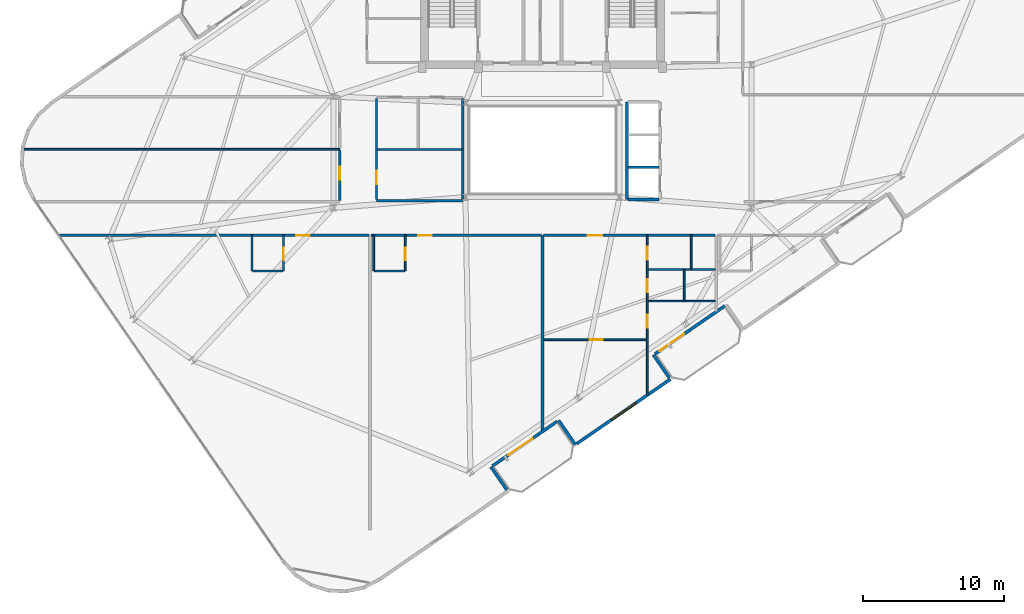
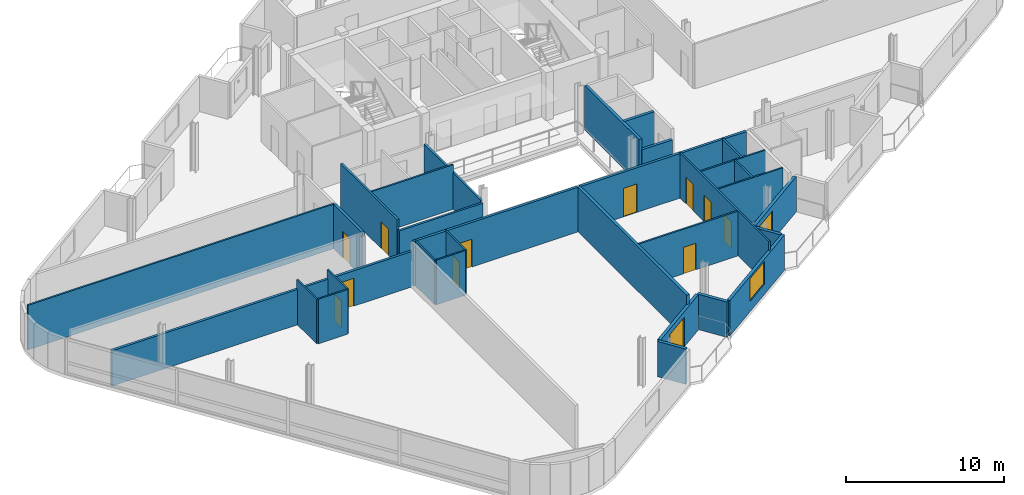
# One storey, part 16 of 23: 31 walls, 13 doors, 1 window, 14 openings.
"""IFC4 building model written with IfcOpenShell, lengths in metres."""

from ifc_helpers import new_model, si_unit, direction, frame, frame_2d, origin, place, context, subcontext, project, spatial, rectangle, extrude, material, layer, layer_set, type_object, element, fill, save


model = new_model("IFC4")

# Units and contexts
model_context = context("Model", 3, precision=1e-05, world=origin(), true_north=direction((0.0, 1.0)))
body_context = subcontext(model_context, "Body", "Model", "MODEL_VIEW")
ifc_project = project(units=[si_unit("LENGTHUNIT", "METRE"), si_unit("AREAUNIT", "SQUARE_METRE"), si_unit("VOLUMEUNIT", "CUBIC_METRE"), si_unit("PLANEANGLEUNIT", "RADIAN"), si_unit("MASSUNIT", "GRAM", prefix="KILO")], contexts=[model_context])

# Site, building, storey
site_placement = place(None, origin())
site = spatial("IfcSite", under=ifc_project, at=site_placement, CompositionType="ELEMENT")
building_placement = place(site_placement, origin())
building = spatial("IfcBuilding", under=site, at=building_placement, Name="Varnelok Gate Tower", CompositionType="ELEMENT")
storey_placement = place(building_placement, frame((0.0, 0.0, 273.0)))
storey = spatial("IfcBuildingStorey", under=building, at=storey_placement, Name="L70", CompositionType="ELEMENT", Elevation=273.0)

# Wall, opening, door
ifc_material_1 = material(Name="Concrete C45/55", Category="concrete")
ifc_layer_1 = layer(ifc_material_1, 0.219970703125)
ifc_layer_set_1 = layer_set([ifc_layer_1], Name="Concrete C45/55")
wall_type_1 = type_object("IfcWallType", Name="EW-BALC-220", PredefinedType="SOLIDWALL", material=ifc_layer_set_1)
wall_1_placement = place(storey_placement, frame((40.243896484375, 3.6884765625, 0.0), z_axis=(0.0, 0.0, 1.0), x_axis=(-0.823541290762, -0.567256328665, 0.0)))
wall_1 = element("IfcWall", 1, at=wall_1_placement, inside=storey, type_object=wall_type_1, Name="L70 South Terrace Envelope Wall 1", PredefinedType="SOLIDWALL", context=body_context, shape_type="SweptSolid", body=[
    extrude(rectangle(XDim=5.567138671875, YDim=0.219970703125, at=frame_2d((2.78369140625, 0.0))), origin(), (0.0, 0.0, 1.0), 2.72998046875),
])
opening_1_placement = place(wall_1_placement, frame((2.10693359375, 0.0, 0.0)))
opening_1 = element("IfcOpeningElement", 2, at=opening_1_placement, cuts=wall_1, Name="Opening BD-2", PredefinedType="OPENING", context=body_context, shape_type="SweptSolid", body=[
    extrude(rectangle(XDim=2.10009765625, YDim=2.300048828125, at=frame_2d((1.050048828125, 1.14990234375))), frame((0.0, 0.119873046875, 0.0), z_axis=(0.0, -1.0, 0.0), x_axis=(1.0, 0.0, 0.0)), (0.0, 0.0, 1.0), 0.239990234375),
])
ifc_material_2 = material(Name="Anodized Aluminum Alloy 6063-T6", Category="aluminium")
door_type_1 = type_object("IfcDoorType", Name="DR-EXT-SLID2100", OperationType="SLIDING_TO_LEFT", PredefinedType="DOOR", material=ifc_material_2)
door_1_placement = place(opening_1_placement, origin())
door_1 = element("IfcDoor", 3, at=door_1_placement, inside=storey, type_object=door_type_1, Name="L70 South Balcony Glazed Door 1", OperationType="SLIDING_TO_LEFT", OverallHeight=2.300048828125, OverallWidth=2.10009765625, PredefinedType="DOOR", context=body_context, shape_type="SweptSolid", body=[
    extrude(rectangle(XDim=2.10009765625, YDim=2.300048828125, at=frame_2d((1.050048828125, 1.14990234375))), frame((0.0, 0.02490234375, 0.0), z_axis=(0.0, -1.0, 0.0), x_axis=(1.0, 0.0, 0.0)), (0.0, 0.0, 1.0), 0.050048828125),
])
fill(opening_1, door_1)

wall_2_placement = place(storey_placement, frame((52.102783203125, 11.85693359375, 0.0), z_axis=(0.0, 0.0, 1.0), x_axis=(-0.823534636215, -0.567265989598, 0.0)))
wall_2 = element("IfcWall", 4, at=wall_2_placement, inside=storey, type_object=wall_type_1, Name="L70 South Terrace Envelope Wall 2", PredefinedType="SOLIDWALL", context=body_context, shape_type="SweptSolid", body=[
    extrude(rectangle(XDim=6.0, YDim=0.219970703125, at=frame_2d((3.0, 0.0))), origin(), (0.0, 0.0, 1.0), 2.72998046875),
])
opening_2_placement = place(wall_2_placement, frame((3.5, 0.0, 0.0)))
opening_2 = element("IfcOpeningElement", 5, at=opening_2_placement, cuts=wall_2, Name="Opening BD-2", PredefinedType="OPENING", context=body_context, shape_type="SweptSolid", body=[
    extrude(rectangle(XDim=2.10009765625, YDim=2.300048828125, at=frame_2d((1.050048828125, 1.14990234375))), frame((0.0, 0.119873046875, 0.0), z_axis=(0.0, -1.0, 0.0), x_axis=(1.0, 0.0, 0.0)), (0.0, 0.0, 1.0), 0.239990234375),
])
door_2_placement = place(opening_2_placement, origin())
door_2 = element("IfcDoor", 6, at=door_2_placement, inside=storey, type_object=door_type_1, Name="L70 South Balcony Glazed Door 2", OperationType="SLIDING_TO_LEFT", OverallHeight=2.300048828125, OverallWidth=2.10009765625, PredefinedType="DOOR", context=body_context, shape_type="SweptSolid", body=[
    extrude(rectangle(XDim=2.10009765625, YDim=2.300048828125, at=frame_2d((1.050048828125, 1.14990234375))), frame((0.0, 0.02490234375, 0.0), z_axis=(0.0, -1.0, 0.0), x_axis=(1.0, 0.0, 0.0)), (0.0, 0.0, 1.0), 0.050048828125),
])
fill(opening_2, door_2)

# Walls
wall_3_placement = place(storey_placement, frame((36.675048828125, -1.156005859375, 0.0), z_axis=(0.0, 0.0, 1.0), x_axis=(-0.567215821234, 0.823569190865, 0.0)))
element("IfcWall", 7, at=wall_3_placement, inside=storey, type_object=wall_type_1, Name="L70 Perimeter Facade Closure Wall 8", PredefinedType="SOLIDWALL", context=body_context, shape_type="SweptSolid", body=[
    extrude(rectangle(XDim=1.97509765625, YDim=0.219970703125, at=frame_2d((0.987548828125, 0.0))), origin(), (0.0, 0.0, 1.0), 2.72998046875),
])
wall_4_placement = place(storey_placement, frame((40.3369140625, 3.7646484375, 0.0), z_axis=(0.0, 0.0, 1.0), x_axis=(0.567352541689, -0.823475010816, 0.0)))
element("IfcWall", 8, at=wall_4_placement, inside=storey, type_object=wall_type_1, Name="L70 Perimeter Facade Closure Wall 9", PredefinedType="SOLIDWALL", context=body_context, shape_type="SweptSolid", body=[
    extrude(rectangle(XDim=2.099853515625, YDim=0.219970703125, at=frame_2d((1.0498046875, 0.0))), origin(), (0.0, 0.0, 1.0), 2.72998046875),
])

# Wall, opening, window
wall_5_placement = place(storey_placement, frame((41.631103515625, 2.106201171875, 0.0), z_axis=(0.0, 0.0, 1.0), x_axis=(0.823530942962, 0.56727135128, 0.0)))
wall_5 = element("IfcWall", 9, at=wall_5_placement, inside=storey, type_object=wall_type_1, Name="L70 Perimeter Facade Closure Wall 10", PredefinedType="SOLIDWALL", context=body_context, shape_type="SweptSolid", body=[
    extrude(rectangle(XDim=8.03515625, YDim=0.219970703125, at=frame_2d((4.017578125, 0.0))), origin(), (0.0, 0.0, 1.0), 2.72998046875),
])
opening_3_placement = place(wall_5_placement, frame((2.967529296875, 0.0, 0.800048828125)))
opening_3 = element("IfcOpeningElement", 10, at=opening_3_placement, cuts=wall_5, Name="Opening WN4", PredefinedType="OPENING", context=body_context, shape_type="SweptSolid", body=[
    extrude(rectangle(XDim=2.10009765625, YDim=1.75, at=frame_2d((1.050048828125, 0.875))), frame((0.0, 0.119873046875, 0.0), z_axis=(0.0, -1.0, 0.0), x_axis=(1.0, 0.0, 0.0)), (0.0, 0.0, 1.0), 0.239990234375),
])
ifc_material_3 = material(Name="Low-E Laminated Double Glazing IGU", Category="glass")
window_type = type_object("IfcWindowType", Name="WN-SUI-2100", PartitioningType="SINGLE_PANEL", PredefinedType="WINDOW", material=ifc_material_3)
window_placement = place(opening_3_placement, origin())
window = element("IfcWindow", 11, at=window_placement, inside=storey, type_object=window_type, Name="L70 Perimeter Vision Window 10", OverallHeight=1.75, OverallWidth=2.10009765625, PartitioningType="SINGLE_PANEL", PredefinedType="WINDOW", context=body_context, shape_type="SweptSolid", body=[
    extrude(rectangle(XDim=2.10009765625, YDim=1.75, at=frame_2d((1.050048828125, 0.875))), frame((0.0, 0.030029296875, 0.0), z_axis=(0.0, -1.0, 0.0), x_axis=(1.0, 0.0, 0.0)), (0.0, 0.0, 1.0), 0.06005859375),
])
fill(opening_3, window)

# Wall
wall_6_placement = place(storey_placement, frame((48.17724609375, 6.76708984375, 0.0), z_axis=(0.0, 0.0, 1.0), x_axis=(-0.567273565974, 0.823529417415, 0.0)))
element("IfcWall", 12, at=wall_6_placement, inside=storey, type_object=wall_type_1, Name="L70 Perimeter Facade Closure Wall 11", PredefinedType="SOLIDWALL", context=body_context, shape_type="SweptSolid", body=[
    extrude(rectangle(XDim=1.97509765625, YDim=0.219970703125, at=frame_2d((0.987548828125, 0.0))), origin(), (0.0, 0.0, 1.0), 2.72998046875),
])

# Wall, opening, door
ifc_material_4 = material(Name="Gypsum Plasterboard Acoustic Partition", Category="gypsum")
ifc_layer_2 = layer(ifc_material_4, 0.179931640625)
ifc_layer_set_2 = layer_set([ifc_layer_2], Name="Gypsum Plasterboard Acoustic Partition")
wall_type_2 = type_object("IfcWallType", Name="PW-CORR-180", PredefinedType="PARTITIONING", material=ifc_layer_set_2)
wall_7_placement = place(storey_placement, frame((5.037841796875, 16.85009765625, 0.0), z_axis=(0.0, 0.0, 1.0), x_axis=(1.0, 0.0, 0.0)))
wall_7 = element("IfcWall", 13, at=wall_7_placement, inside=storey, type_object=wall_type_2, Name="Interior Partition", PredefinedType="PARTITIONING", context=body_context, shape_type="SweptSolid", body=[
    extrude(rectangle(XDim=21.882080078125, YDim=0.179931640625, at=frame_2d((10.94091796875, 0.0))), origin(), (0.0, 0.0, 1.0), 2.739013671875),
])
opening_4_placement = place(wall_7_placement, frame((16.725341796875, 0.0, 0.0)))
opening_4 = element("IfcOpeningElement", 14, at=opening_4_placement, cuts=wall_7, Name="Opening D-HT", PredefinedType="OPENING", context=body_context, shape_type="SweptSolid", body=[
    extrude(rectangle(XDim=0.949951171875, YDim=2.14990234375, at=frame_2d((0.47509765625, 1.074951171875))), frame((0.0, 0.099853515625, 0.0), z_axis=(0.0, -1.0, 0.0), x_axis=(1.0, 0.0, 0.0)), (0.0, 0.0, 1.0), 0.199951171875),
])
ifc_material_5 = material(Name="Engineered Hardwood Timber", Category="wood")
door_type_2 = type_object("IfcDoorType", Name="DR-HTL-950", OperationType="NOTDEFINED", PredefinedType="DOOR", material=ifc_material_5)
door_3_placement = place(opening_4_placement, origin())
door_3 = element("IfcDoor", 15, at=door_3_placement, inside=storey, type_object=door_type_2, Name="L70 Guest Room 01 Entrance Door", OperationType="SINGLE_SWING_RIGHT", OverallHeight=2.14990234375, OverallWidth=0.949951171875, PredefinedType="DOOR", context=body_context, shape_type="SweptSolid", body=[
    extrude(rectangle(XDim=0.949951171875, YDim=2.14990234375, at=frame_2d((0.47509765625, 1.074951171875))), frame((0.0, 0.02490234375, 0.0), z_axis=(0.0, -1.0, 0.0), x_axis=(1.0, 0.0, 0.0)), (0.0, 0.0, 1.0), 0.050048828125),
])
fill(opening_4, door_3)

wall_8_placement = place(storey_placement, frame((27.080078125, 16.85009765625, 0.0), z_axis=(0.0, 0.0, 1.0), x_axis=(1.0, 0.0, 0.0)))
wall_8 = element("IfcWall", 16, at=wall_8_placement, inside=storey, type_object=wall_type_2, Name="Interior Partition", PredefinedType="PARTITIONING", context=body_context, shape_type="SweptSolid", body=[
    extrude(rectangle(XDim=12.0400390625, YDim=0.179931640625, at=frame_2d((6.02001953125, 0.0))), origin(), (0.0, 0.0, 1.0), 3.449951171875),
])
opening_5_placement = place(wall_8_placement, frame((3.328369140625, 0.0, 0.0)))
opening_5 = element("IfcOpeningElement", 17, at=opening_5_placement, cuts=wall_8, Name="Opening D-HT", PredefinedType="OPENING", context=body_context, shape_type="SweptSolid", body=[
    extrude(rectangle(XDim=0.949951171875, YDim=2.14990234375, at=frame_2d((0.47509765625, 1.074951171875))), frame((0.0, 0.099853515625, 0.0), z_axis=(0.0, -1.0, 0.0), x_axis=(1.0, 0.0, 0.0)), (0.0, 0.0, 1.0), 0.199951171875),
])
door_4_placement = place(opening_5_placement, origin())
door_4 = element("IfcDoor", 18, at=door_4_placement, inside=storey, type_object=door_type_2, Name="L70 Guest Room 02 Entrance Door", OperationType="SINGLE_SWING_LEFT", OverallHeight=2.14990234375, OverallWidth=0.949951171875, PredefinedType="DOOR", context=body_context, shape_type="SweptSolid", body=[
    extrude(rectangle(XDim=0.949951171875, YDim=2.14990234375, at=frame_2d((0.47509765625, 1.074951171875))), frame((0.0, 0.02490234375, 0.0), z_axis=(0.0, -1.0, 0.0), x_axis=(1.0, 0.0, 0.0)), (0.0, 0.0, 1.0), 0.050048828125),
])
fill(opening_5, door_4)

wall_9_placement = place(storey_placement, frame((39.280029296875, 16.85009765625, 0.0), z_axis=(0.0, 0.0, 1.0), x_axis=(1.0, 0.0, 0.0)))
wall_9 = element("IfcWall", 19, at=wall_9_placement, inside=storey, type_object=wall_type_2, Name="Interior Partition", PredefinedType="PARTITIONING", context=body_context, shape_type="SweptSolid", body=[
    extrude(rectangle(XDim=12.139892578125, YDim=0.179931640625, at=frame_2d((6.06982421875, 0.0))), origin(), (0.0, 0.0, 1.0), 3.449951171875),
])
opening_6_placement = place(wall_9_placement, frame((3.135009765625, 0.0, 0.0)))
opening_6 = element("IfcOpeningElement", 20, at=opening_6_placement, cuts=wall_9, Name="Opening D-AP", PredefinedType="OPENING", context=body_context, shape_type="SweptSolid", body=[
    extrude(rectangle(XDim=1.0, YDim=2.199951171875, at=frame_2d((0.5, 1.10009765625))), frame((0.0, 0.099853515625, 0.0), z_axis=(0.0, -1.0, 0.0), x_axis=(1.0, 0.0, 0.0)), (0.0, 0.0, 1.0), 0.199951171875),
])
door_type_3 = type_object("IfcDoorType", Name="DR-APT-1000", OperationType="NOTDEFINED", PredefinedType="DOOR", material=ifc_material_5)
door_5_placement = place(opening_6_placement, origin())
door_5 = element("IfcDoor", 21, at=door_5_placement, inside=storey, type_object=door_type_3, Name="L70 Apartment 3 Entrance Door", OperationType="SINGLE_SWING_RIGHT", OverallHeight=2.199951171875, OverallWidth=1.0, PredefinedType="DOOR", context=body_context, shape_type="SweptSolid", body=[
    extrude(rectangle(XDim=1.0, YDim=2.199951171875, at=frame_2d((0.5, 1.10009765625))), frame((0.0, 0.02490234375, 0.0), z_axis=(0.0, -1.0, 0.0), x_axis=(1.0, 0.0, 0.0)), (0.0, 0.0, 1.0), 0.050048828125),
])
fill(opening_6, door_5)

wall_10_placement = place(storey_placement, frame((24.85009765625, 19.300048828125, 0.0), z_axis=(0.0, 0.0, 1.0), x_axis=(0.0, 1.0, 0.0)))
wall_10 = element("IfcWall", 22, at=wall_10_placement, inside=storey, type_object=wall_type_2, Name="Interior Partition", PredefinedType="PARTITIONING", context=body_context, shape_type="SweptSolid", body=[
    extrude(rectangle(XDim=3.570068359375, YDim=0.179931640625, at=frame_2d((1.78515625, 0.0))), origin(), (0.0, 0.0, 1.0), 3.449951171875),
])
opening_7_placement = place(wall_10_placement, frame((1.49951171875, 0.0, 0.0)))
opening_7 = element("IfcOpeningElement", 23, at=opening_7_placement, cuts=wall_10, Name="Opening D-I3", PredefinedType="OPENING", context=body_context, shape_type="SweptSolid", body=[
    extrude(rectangle(XDim=0.919921875, YDim=2.050048828125, at=frame_2d((0.4599609375, 1.02490234375))), frame((0.0, 0.099853515625, 0.0), z_axis=(0.0, -1.0, 0.0), x_axis=(1.0, 0.0, 0.0)), (0.0, 0.0, 1.0), 0.199951171875),
])
door_type_4 = type_object("IfcDoorType", Name="DR-INT-920", OperationType="NOTDEFINED", PredefinedType="DOOR", material=ifc_material_5)
door_6_placement = place(opening_7_placement, origin())
door_6 = element("IfcDoor", 24, at=door_6_placement, inside=storey, type_object=door_type_4, Name="L70 West Wing Room 1 Door", OperationType="SINGLE_SWING_LEFT", OverallHeight=2.050048828125, OverallWidth=0.919921875, PredefinedType="DOOR", context=body_context, shape_type="SweptSolid", body=[
    extrude(rectangle(XDim=0.919921875, YDim=2.050048828125, at=frame_2d((0.4599609375, 1.02490234375))), frame((0.0, 0.02490234375, 0.0), z_axis=(0.0, -1.0, 0.0), x_axis=(1.0, 0.0, 0.0)), (0.0, 0.0, 1.0), 0.050048828125),
])
fill(opening_7, door_6)

# Wall
ifc_layer_3 = layer(ifc_material_4, 0.114990234375)
ifc_layer_set_3 = layer_set([ifc_layer_3], Name="Gypsum Plasterboard Acoustic Partition")
wall_type_3 = type_object("IfcWallType", Name="PW-ENS-125", PredefinedType="PARTITIONING", material=ifc_layer_set_3)
wall_11_placement = place(storey_placement, frame((18.679931640625, 14.330078125, 0.0), z_axis=(0.0, 0.0, 1.0), x_axis=(1.0, 0.0, 0.0)))
element("IfcWall", 25, at=wall_11_placement, inside=storey, type_object=wall_type_3, Name="Interior Partition", PredefinedType="PARTITIONING", context=body_context, shape_type="SweptSolid", body=[
    extrude(rectangle(XDim=2.150146484375, YDim=0.114990234375, at=frame_2d((1.0751953125, 0.0))), origin(), (0.0, 0.0, 1.0), 3.449951171875),
])

# Wall, opening, door
wall_12_placement = place(storey_placement, frame((20.8701171875, 14.330078125, 0.0), z_axis=(0.0, 0.0, 1.0), x_axis=(0.0, 1.0, 0.0)))
wall_12 = element("IfcWall", 26, at=wall_12_placement, inside=storey, type_object=wall_type_3, Name="Interior Partition", PredefinedType="PARTITIONING", context=body_context, shape_type="SweptSolid", body=[
    extrude(rectangle(XDim=2.52001953125, YDim=0.114990234375, at=frame_2d((1.260009765625, 0.0))), origin(), (0.0, 0.0, 1.0), 3.449951171875),
])
opening_8_placement = place(wall_12_placement, frame((0.760009765625, 0.0, 0.0)))
opening_8 = element("IfcOpeningElement", 27, at=opening_8_placement, cuts=wall_12, Name="Opening D-WC", PredefinedType="OPENING", context=body_context, shape_type="SweptSolid", body=[
    extrude(rectangle(XDim=0.89990234375, YDim=2.050048828125, at=frame_2d((0.449951171875, 1.02490234375))), frame((0.0, 0.0673828125, 0.0), z_axis=(0.0, -1.0, 0.0), x_axis=(1.0, 0.0, 0.0)), (0.0, 0.0, 1.0), 0.135009765625),
])
door_type_5 = type_object("IfcDoorType", Name="DR-BATH-900", OperationType="NOTDEFINED", PredefinedType="DOOR", material=ifc_material_5)
door_7_placement = place(opening_8_placement, origin())
door_7 = element("IfcDoor", 28, at=door_7_placement, inside=storey, type_object=door_type_5, Name="L70 Guest En-Suite 01 Door", OperationType="SINGLE_SWING_LEFT", OverallHeight=2.050048828125, OverallWidth=0.89990234375, PredefinedType="DOOR", context=body_context, shape_type="SweptSolid", body=[
    extrude(rectangle(XDim=0.89990234375, YDim=2.050048828125, at=frame_2d((0.449951171875, 1.02490234375))), frame((0.0, 0.02490234375, 0.0), z_axis=(0.0, -1.0, 0.0), x_axis=(1.0, 0.0, 0.0)), (0.0, 0.0, 1.0), 0.050048828125),
])
fill(opening_8, door_7)

# Walls
wall_13_placement = place(storey_placement, frame((18.639892578125, 14.330078125, 0.0), z_axis=(0.0, 0.0, 1.0), x_axis=(0.0, 1.0, 0.0)))
element("IfcWall", 29, at=wall_13_placement, inside=storey, type_object=wall_type_3, Name="Interior Partition", PredefinedType="PARTITIONING", context=body_context, shape_type="SweptSolid", body=[
    extrude(rectangle(XDim=2.52001953125, YDim=0.114990234375, at=frame_2d((1.260009765625, 0.0))), origin(), (0.0, 0.0, 1.0), 3.449951171875),
])
wall_14_placement = place(storey_placement, frame((27.300048828125, 14.330078125, 0.0), z_axis=(0.0, 0.0, 1.0), x_axis=(1.0, 0.0, 0.0)))
element("IfcWall", 30, at=wall_14_placement, inside=storey, type_object=wall_type_3, Name="Interior Partition", PredefinedType="PARTITIONING", context=body_context, shape_type="SweptSolid", body=[
    extrude(rectangle(XDim=2.14990234375, YDim=0.114990234375, at=frame_2d((1.074951171875, 0.0))), origin(), (0.0, 0.0, 1.0), 3.449951171875),
])

# Wall, opening, door
wall_15_placement = place(storey_placement, frame((29.489990234375, 14.330078125, 0.0), z_axis=(0.0, 0.0, 1.0), x_axis=(0.0, 1.0, 0.0)))
wall_15 = element("IfcWall", 31, at=wall_15_placement, inside=storey, type_object=wall_type_3, Name="Interior Partition", PredefinedType="PARTITIONING", context=body_context, shape_type="SweptSolid", body=[
    extrude(rectangle(XDim=2.52001953125, YDim=0.114990234375, at=frame_2d((1.260009765625, 0.0))), origin(), (0.0, 0.0, 1.0), 3.449951171875),
])
opening_9_placement = place(wall_15_placement, frame((0.760009765625, 0.0, 0.0)))
opening_9 = element("IfcOpeningElement", 32, at=opening_9_placement, cuts=wall_15, Name="Opening D-WC", PredefinedType="OPENING", context=body_context, shape_type="SweptSolid", body=[
    extrude(rectangle(XDim=0.89990234375, YDim=2.050048828125, at=frame_2d((0.449951171875, 1.02490234375))), frame((0.0, 0.0673828125, 0.0), z_axis=(0.0, -1.0, 0.0), x_axis=(1.0, 0.0, 0.0)), (0.0, 0.0, 1.0), 0.135009765625),
])
door_8_placement = place(opening_9_placement, origin())
door_8 = element("IfcDoor", 33, at=door_8_placement, inside=storey, type_object=door_type_5, Name="L70 Guest En-Suite 02 Door", OperationType="SINGLE_SWING_LEFT", OverallHeight=2.050048828125, OverallWidth=0.89990234375, PredefinedType="DOOR", context=body_context, shape_type="SweptSolid", body=[
    extrude(rectangle(XDim=0.89990234375, YDim=2.050048828125, at=frame_2d((0.449951171875, 1.02490234375))), frame((0.0, 0.02490234375, 0.0), z_axis=(0.0, -1.0, 0.0), x_axis=(1.0, 0.0, 0.0)), (0.0, 0.0, 1.0), 0.050048828125),
])
fill(opening_9, door_8)

# Walls
wall_16_placement = place(storey_placement, frame((27.260009765625, 14.330078125, 0.0), z_axis=(0.0, 0.0, 1.0), x_axis=(0.0, 1.0, 0.0)))
element("IfcWall", 34, at=wall_16_placement, inside=storey, type_object=wall_type_3, Name="Interior Partition", PredefinedType="PARTITIONING", context=body_context, shape_type="SweptSolid", body=[
    extrude(rectangle(XDim=2.52001953125, YDim=0.114990234375, at=frame_2d((1.260009765625, 0.0))), origin(), (0.0, 0.0, 1.0), 3.449951171875),
])
wall_17_placement = place(storey_placement, frame((46.68994140625, 12.199951171875, 0.0), z_axis=(0.0, 0.0, 1.0), x_axis=(1.0, 0.0, 0.0)))
element("IfcWall", 35, at=wall_17_placement, inside=storey, type_object=wall_type_3, Name="Interior Partition", PredefinedType="PARTITIONING", context=body_context, shape_type="SweptSolid", body=[
    extrude(rectangle(XDim=4.72998046875, YDim=0.114990234375, at=frame_2d((2.364990234375, 0.0))), origin(), (0.0, 0.0, 1.0), 3.449951171875),
])
wall_18_placement = place(storey_placement, frame((49.22998046875, 12.199951171875, 0.0), z_axis=(0.0, 0.0, 1.0), x_axis=(0.0, 1.0, 0.0)))
element("IfcWall", 36, at=wall_18_placement, inside=storey, type_object=wall_type_3, Name="Interior Partition", PredefinedType="PARTITIONING", context=body_context, shape_type="SweptSolid", body=[
    extrude(rectangle(XDim=2.239990234375, YDim=0.114990234375, at=frame_2d((1.1201171875, 0.0))), origin(), (0.0, 0.0, 1.0), 3.449951171875),
])

# Wall, opening, door
ifc_layer_4 = layer(ifc_material_4, 0.125)
ifc_layer_set_4 = layer_set([ifc_layer_4], Name="Gypsum Plasterboard Acoustic Partition")
wall_type_4 = type_object("IfcWallType", Name="PW-PART-125", PredefinedType="PARTITIONING", material=ifc_layer_set_4)
wall_19_placement = place(storey_placement, frame((39.280029296875, 9.470458984375, 0.0), z_axis=(0.0, 0.0, 1.0), x_axis=(1.0, 0.0, 0.0)))
wall_19 = element("IfcWall", 37, at=wall_19_placement, inside=storey, type_object=wall_type_4, Name="Interior Partition", PredefinedType="PARTITIONING", context=body_context, shape_type="SweptSolid", body=[
    extrude(rectangle(XDim=7.27001953125, YDim=0.125, at=frame_2d((3.635009765625, 0.0))), origin(), (0.0, 0.0, 1.0), 3.449951171875),
])
opening_10_placement = place(wall_19_placement, frame((3.271484375, 0.0, 0.0)))
opening_10 = element("IfcOpeningElement", 38, at=opening_10_placement, cuts=wall_19, Name="Opening D-I3", PredefinedType="OPENING", context=body_context, shape_type="SweptSolid", body=[
    extrude(rectangle(XDim=0.919921875, YDim=2.050048828125, at=frame_2d((0.4599609375, 1.02490234375))), frame((0.0, 0.072509765625, 0.0), z_axis=(0.0, -1.0, 0.0), x_axis=(1.0, 0.0, 0.0)), (0.0, 0.0, 1.0), 0.14501953125),
])
door_9_placement = place(opening_10_placement, origin())
door_9 = element("IfcDoor", 39, at=door_9_placement, inside=storey, type_object=door_type_4, Name="L70 Apartment 3 Study Door", OperationType="SINGLE_SWING_LEFT", OverallHeight=2.050048828125, OverallWidth=0.919921875, PredefinedType="DOOR", context=body_context, shape_type="SweptSolid", body=[
    extrude(rectangle(XDim=0.919921875, YDim=2.050048828125, at=frame_2d((0.4599609375, 1.02490234375))), frame((0.0, 0.02490234375, 0.0), z_axis=(0.0, -1.0, 0.0), x_axis=(1.0, 0.0, 0.0)), (0.0, 0.0, 1.0), 0.050048828125),
])
fill(opening_10, door_9)

# Wall, openings, doors
wall_20_placement = place(storey_placement, frame((46.6201171875, 5.56689453125, 0.0), z_axis=(0.0, 0.0, 1.0), x_axis=(0.0, 1.0, 0.0)))
wall_20 = element("IfcWall", 40, at=wall_20_placement, inside=storey, type_object=wall_type_4, Name="Interior Partition", PredefinedType="PARTITIONING", context=body_context, shape_type="SweptSolid", body=[
    extrude(rectangle(XDim=11.283203125, YDim=0.125, at=frame_2d((5.6416015625, 0.0))), origin(), (0.0, 0.0, 1.0), 3.449951171875),
])
opening_11_placement = place(wall_20_placement, frame((4.7568359375, 0.0, 0.0)))
opening_11 = element("IfcOpeningElement", 41, at=opening_11_placement, cuts=wall_20, Name="Opening D-I3", PredefinedType="OPENING", context=body_context, shape_type="SweptSolid", body=[
    extrude(rectangle(XDim=0.919921875, YDim=2.050048828125, at=frame_2d((0.4599609375, 1.02490234375))), frame((0.0, 0.072509765625, 0.0), z_axis=(0.0, -1.0, 0.0), x_axis=(1.0, 0.0, 0.0)), (0.0, 0.0, 1.0), 0.14501953125),
])
opening_12_placement = place(wall_20_placement, frame((7.260498046875, 0.0, 0.0)))
opening_12 = element("IfcOpeningElement", 42, at=opening_12_placement, cuts=wall_20, Name="Opening D-WC", PredefinedType="OPENING", context=body_context, shape_type="SweptSolid", body=[
    extrude(rectangle(XDim=0.89990234375, YDim=2.050048828125, at=frame_2d((0.449951171875, 1.02490234375))), frame((0.0, 0.072509765625, 0.0), z_axis=(0.0, -1.0, 0.0), x_axis=(1.0, 0.0, 0.0)), (0.0, 0.0, 1.0), 0.14501953125),
])
opening_13_placement = place(wall_20_placement, frame((9.552978515625, 0.0, 0.0)))
opening_13 = element("IfcOpeningElement", 43, at=opening_13_placement, cuts=wall_20, Name="Opening D-I3", PredefinedType="OPENING", context=body_context, shape_type="SweptSolid", body=[
    extrude(rectangle(XDim=0.919921875, YDim=2.050048828125, at=frame_2d((0.4599609375, 1.02490234375))), frame((0.0, 0.072509765625, 0.0), z_axis=(0.0, -1.0, 0.0), x_axis=(1.0, 0.0, 0.0)), (0.0, 0.0, 1.0), 0.14501953125),
])
door_10_placement = place(opening_12_placement, origin())
door_10 = element("IfcDoor", 44, at=door_10_placement, inside=storey, type_object=door_type_5, Name="L70 Apartment 3 Bathroom Door", OperationType="SINGLE_SWING_LEFT", OverallHeight=2.050048828125, OverallWidth=0.89990234375, PredefinedType="DOOR", context=body_context, shape_type="SweptSolid", body=[
    extrude(rectangle(XDim=0.89990234375, YDim=2.050048828125, at=frame_2d((0.449951171875, 1.02490234375))), frame((0.0, 0.02490234375, 0.0), z_axis=(0.0, -1.0, 0.0), x_axis=(1.0, 0.0, 0.0)), (0.0, 0.0, 1.0), 0.050048828125),
])
fill(opening_12, door_10)
door_11_placement = place(opening_11_placement, origin())
door_11 = element("IfcDoor", 45, at=door_11_placement, inside=storey, type_object=door_type_4, Name="L70 Apartment 3 Bedroom Door", OperationType="SINGLE_SWING_RIGHT", OverallHeight=2.050048828125, OverallWidth=0.919921875, PredefinedType="DOOR", context=body_context, shape_type="SweptSolid", body=[
    extrude(rectangle(XDim=0.919921875, YDim=2.050048828125, at=frame_2d((0.4599609375, 1.02490234375))), frame((0.0, 0.02490234375, 0.0), z_axis=(0.0, -1.0, 0.0), x_axis=(1.0, 0.0, 0.0)), (0.0, 0.0, 1.0), 0.050048828125),
])
fill(opening_11, door_11)
door_12_placement = place(opening_13_placement, origin())
door_12 = element("IfcDoor", 46, at=door_12_placement, inside=storey, type_object=door_type_4, Name="L70 Apartment 3 Kitchen Door", OperationType="SINGLE_SWING_RIGHT", OverallHeight=2.050048828125, OverallWidth=0.919921875, PredefinedType="DOOR", context=body_context, shape_type="SweptSolid", body=[
    extrude(rectangle(XDim=0.919921875, YDim=2.050048828125, at=frame_2d((0.4599609375, 1.02490234375))), frame((0.0, 0.02490234375, 0.0), z_axis=(0.0, -1.0, 0.0), x_axis=(1.0, 0.0, 0.0)), (0.0, 0.0, 1.0), 0.050048828125),
])
fill(opening_13, door_12)

# Walls
wall_21_placement = place(storey_placement, frame((46.68994140625, 14.43994140625, 0.0), z_axis=(0.0, 0.0, 1.0), x_axis=(1.0, 0.0, 0.0)))
element("IfcWall", 47, at=wall_21_placement, inside=storey, type_object=wall_type_4, Name="Interior Partition", PredefinedType="PARTITIONING", context=body_context, shape_type="SweptSolid", body=[
    extrude(rectangle(XDim=4.72998046875, YDim=0.125, at=frame_2d((2.364990234375, 0.0))), origin(), (0.0, 0.0, 1.0), 3.449951171875),
])
wall_22_placement = place(storey_placement, frame((49.72998046875, 14.43994140625, 0.0), z_axis=(0.0, 0.0, 1.0), x_axis=(0.0, 1.0, 0.0)))
element("IfcWall", 48, at=wall_22_placement, inside=storey, type_object=wall_type_4, Name="Interior Partition", PredefinedType="PARTITIONING", context=body_context, shape_type="SweptSolid", body=[
    extrude(rectangle(XDim=2.41015625, YDim=0.125, at=frame_2d((1.205078125, 0.0))), origin(), (0.0, 0.0, 1.0), 3.449951171875),
])
wall_23_placement = place(storey_placement, frame((2.424072265625, 22.949951171875, 0.0), z_axis=(0.0, 0.0, 1.0), x_axis=(1.0, 0.0, 0.0)))
element("IfcWall", 49, at=wall_23_placement, inside=storey, type_object=wall_type_4, Name="Interior Partition", PredefinedType="PARTITIONING", context=body_context, shape_type="SweptSolid", body=[
    extrude(rectangle(XDim=22.426025390625, YDim=0.125, at=frame_2d((11.212890625, 0.0))), origin(), (0.0, 0.0, 1.0), 3.449951171875),
])
wall_24_placement = place(storey_placement, frame((27.52001953125, 22.929931640625, 0.0), z_axis=(0.0, 0.0, 1.0), x_axis=(1.0, 0.0, 0.0)))
element("IfcWall", 50, at=wall_24_placement, inside=storey, type_object=wall_type_4, Name="Interior Partition", PredefinedType="PARTITIONING", context=body_context, shape_type="SweptSolid", body=[
    extrude(rectangle(XDim=6.0, YDim=0.125, at=frame_2d((3.0, 0.0))), origin(), (0.0, 0.0, 1.0), 3.449951171875),
])
ifc_layer_5 = layer(ifc_material_4, 0.14990234375)
ifc_layer_set_5 = layer_set([ifc_layer_5], Name="Gypsum Plasterboard Acoustic Partition")
wall_type_5 = type_object("IfcWallType", Name="PW-PART-150", PredefinedType="PARTITIONING", material=ifc_layer_set_5)
wall_25_placement = place(storey_placement, frame((27.4599609375, 19.300048828125, 0.0), z_axis=(0.0, 0.0, 1.0), x_axis=(1.0, 0.0, 0.0)))
element("IfcWall", 51, at=wall_25_placement, inside=storey, type_object=wall_type_5, Name="Interior Partition", PredefinedType="PARTITIONING", context=body_context, shape_type="SweptSolid", body=[
    extrude(rectangle(XDim=6.10009765625, YDim=0.14990234375, at=frame_2d((3.050048828125, 0.0))), origin(), (0.0, 0.0, 1.0), 2.662109375),
])

# Wall, opening, door
wall_26_placement = place(storey_placement, frame((27.4599609375, 19.3798828125, 0.0), z_axis=(0.0, 0.0, 1.0), x_axis=(0.0, 1.0, 0.0)))
wall_26 = element("IfcWall", 52, at=wall_26_placement, inside=storey, type_object=wall_type_5, Name="Interior Partition", PredefinedType="PARTITIONING", context=body_context, shape_type="SweptSolid", body=[
    extrude(rectangle(XDim=7.16015625, YDim=0.14990234375, at=frame_2d((3.580078125, 0.0))), origin(), (0.0, 0.0, 1.0), 3.449951171875),
])
opening_14_placement = place(wall_26_placement, frame((1.10009765625, 0.0, 0.0)))
opening_14 = element("IfcOpeningElement", 53, at=opening_14_placement, cuts=wall_26, Name="Opening D-I2", PredefinedType="OPENING", context=body_context, shape_type="SweptSolid", body=[
    extrude(rectangle(XDim=0.949951171875, YDim=2.050048828125, at=frame_2d((0.47509765625, 1.02490234375))), frame((0.0, 0.0849609375, 0.0), z_axis=(0.0, -1.0, 0.0), x_axis=(1.0, 0.0, 0.0)), (0.0, 0.0, 1.0), 0.169921875),
])
door_type_6 = type_object("IfcDoorType", Name="DR-INT-950", OperationType="NOTDEFINED", PredefinedType="DOOR", material=ifc_material_5)
door_13_placement = place(opening_14_placement, origin())
door_13 = element("IfcDoor", 54, at=door_13_placement, inside=storey, type_object=door_type_6, Name="L70 Constructivist Architecture Exhibition Gallery Door", OperationType="SINGLE_SWING_LEFT", OverallHeight=2.050048828125, OverallWidth=0.949951171875, PredefinedType="DOOR", context=body_context, shape_type="SweptSolid", body=[
    extrude(rectangle(XDim=0.949951171875, YDim=2.050048828125, at=frame_2d((0.47509765625, 1.02490234375))), frame((0.0, 0.02490234375, 0.0), z_axis=(0.0, -1.0, 0.0), x_axis=(1.0, 0.0, 0.0)), (0.0, 0.0, 1.0), 0.050048828125),
])
fill(opening_14, door_13)

# Walls
wall_27_placement = place(storey_placement, frame((33.56005859375, 19.3798828125, 0.0), z_axis=(0.0, 0.0, 1.0), x_axis=(0.0, 1.0, 0.0)))
element("IfcWall", 55, at=wall_27_placement, inside=storey, type_object=wall_type_5, Name="Interior Partition", PredefinedType="PARTITIONING", context=body_context, shape_type="SweptSolid", body=[
    extrude(rectangle(XDim=7.16015625, YDim=0.14990234375, at=frame_2d((3.580078125, 0.0))), origin(), (0.0, 0.0, 1.0), 2.823974609375),
])
ifc_layer_6 = layer(ifc_material_4, 0.205078125)
ifc_layer_set_6 = layer_set([ifc_layer_6], Name="Gypsum Plasterboard Acoustic Partition")
wall_type_6 = type_object("IfcWallType", Name="PW-PARTY-200", PredefinedType="PARTITIONING", material=ifc_layer_set_6)
wall_28_placement = place(storey_placement, frame((39.199951171875, 3.005859375, 0.0), z_axis=(0.0, 0.0, 1.0), x_axis=(0.0, 1.0, 0.0)))
element("IfcWall", 56, at=wall_28_placement, inside=storey, type_object=wall_type_6, Name="L70 South Party Wall 2", PredefinedType="PARTITIONING", context=body_context, shape_type="SweptSolid", body=[
    extrude(rectangle(XDim=13.84423828125, YDim=0.205078125, at=frame_2d((6.922119140625, 0.0))), origin(), (0.0, 0.0, 1.0), 3.449951171875),
])
ifc_material_6 = material(Name="Concrete C35/45", Category="concrete")
ifc_layer_7 = layer(ifc_material_6, 0.199951171875)
ifc_layer_set_7 = layer_set([ifc_layer_7], Name="Concrete C35/45")
wall_type_7 = type_object("IfcWallType", Name="PW-SHAFT-200", PredefinedType="PARTITIONING", material=ifc_layer_set_7)
wall_29_placement = place(storey_placement, frame((45.239990234375, 21.675048828125, 0.0), z_axis=(0.0, 0.0, 1.0), x_axis=(1.0, 0.0, 0.0)))
element("IfcWall", 57, at=wall_29_placement, inside=storey, type_object=wall_type_7, Name="L70 PH1 Divider", PredefinedType="PARTITIONING", context=body_context, shape_type="SweptSolid", body=[
    extrude(rectangle(XDim=2.219970703125, YDim=0.199951171875, at=frame_2d((1.10986328125, 0.0))), origin(), (0.0, 0.0, 1.0), 3.449951171875),
])
wall_30_placement = place(storey_placement, frame((45.239990234375, 19.3798828125, 0.0), z_axis=(0.0, 0.0, 1.0), x_axis=(1.0, 0.0, 0.0)))
element("IfcWall", 58, at=wall_30_placement, inside=storey, type_object=wall_type_7, Name="L70 PH Bank South Wall", PredefinedType="PARTITIONING", context=body_context, shape_type="SweptSolid", body=[
    extrude(rectangle(XDim=2.219970703125, YDim=0.199951171875, at=frame_2d((1.10986328125, 0.0))), origin(), (0.0, 0.0, 1.0), 2.662109375),
])
wall_31_placement = place(storey_placement, frame((45.179931640625, 19.3798828125, 0.0), z_axis=(0.0, 0.0, 1.0), x_axis=(0.0, 1.0, 0.0)))
element("IfcWall", 59, at=wall_31_placement, inside=storey, type_object=wall_type_7, Name="L70 PH Bank Atrium Wall", PredefinedType="PARTITIONING", context=body_context, shape_type="SweptSolid", body=[
    extrude(rectangle(XDim=6.900146484375, YDim=0.199951171875, at=frame_2d((3.4501953125, 0.0))), origin(), (0.0, 0.0, 1.0), 3.449951171875),
])

save(model, "model.ifc")
